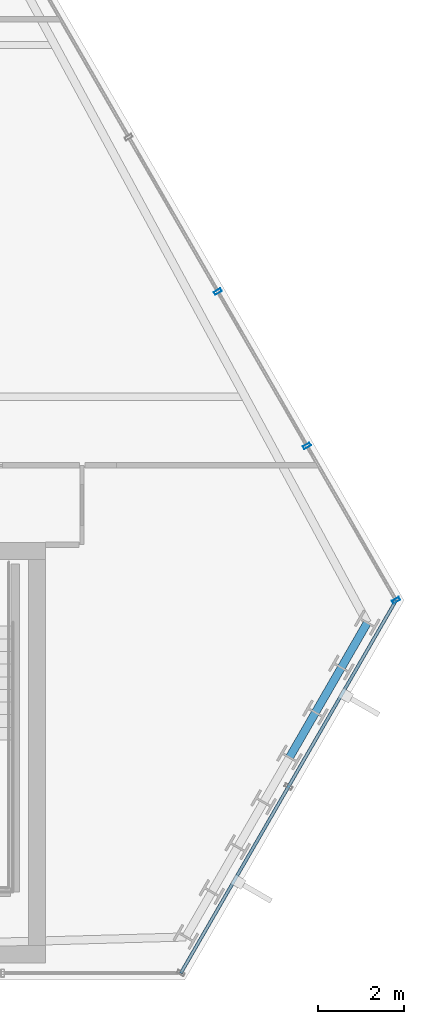
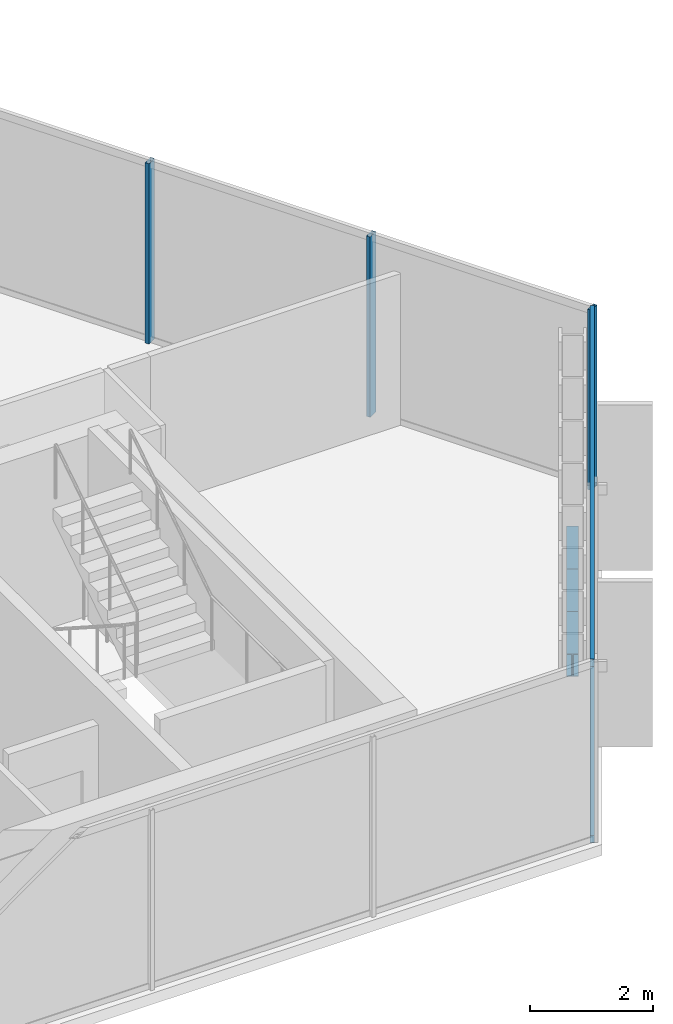
# One storey, part 16 of 35: 5 members, 3 beams, 2 elements without a shape of their own.
"""IFC4 building model written with IfcOpenShell, lengths in metres."""

from ifc_helpers import new_model, si_unit, direction, frame, origin, origin_2d, place, context, subcontext, project, spatial, hollow_rectangle, i_section, extrude, material, layer, layer_set, material_profile, profile_set, type_object, element, aggregate, save


model = new_model("IFC4")

# Units and contexts
model_context = context("Model", 3, precision=1e-05, world=origin(), true_north=direction((0.0, 1.0)))
body_context = subcontext(model_context, "Body", "Model", "MODEL_VIEW")
ifc_project = project(units=[si_unit("LENGTHUNIT", "METRE"), si_unit("AREAUNIT", "SQUARE_METRE"), si_unit("VOLUMEUNIT", "CUBIC_METRE"), si_unit("PLANEANGLEUNIT", "RADIAN"), si_unit("MASSUNIT", "GRAM", prefix="KILO")], contexts=[model_context])

# Site, building, storey
site_placement = place(None, origin())
site = spatial("IfcSite", under=ifc_project, at=site_placement, CompositionType="ELEMENT")
building_placement = place(site_placement, origin())
building = spatial("IfcBuilding", under=site, at=building_placement, Name="Ndaravel Arena Tower", CompositionType="ELEMENT")
storey_placement = place(building_placement, frame((0.0, 0.0, 176.39990234375)))
storey = spatial("IfcBuildingStorey", under=building, at=storey_placement, Name="L42", CompositionType="ELEMENT", Elevation=176.39990234375)

# Beams
ifc_material_1 = material(Name="Steel S355", Category="steel")
ifc_material_profile_1 = material_profile(ifc_material_1, i_section(OverallWidth=0.18994140625, OverallDepth=0.449951171875, WebThickness=0.009521484375, FlangeThickness=0.0146484375, FilletRadius=0.02099609375, at=origin_2d()), Name="IPE 450")
ifc_profile_set_1 = profile_set([ifc_material_profile_1], Name="Steel S355")
beam_type = type_object("IfcBeamType", Name="BM-SPAN-IPE450", PredefinedType="SPANDREL", material=ifc_profile_set_1)
for number, where, z_axis, x_axis, name in (
    (1, (63.23779296875, 10.189697265625, -0.44482421875), (0.499984757355, 0.866034203951, 0.0), (-0.866034203951, 0.499984757355, 0.0), "L42 Perimeter Spandrel Beam SP-06"),
    (2, (63.842041015625, 11.236328125, -0.44482421875), (0.499984757355, 0.866034203951, 0.0), (-0.866034203951, 0.499984757355, 0.0), "L42 Perimeter Spandrel Beam SP-07"),
    (3, (64.4462890625, 12.282958984375, -0.44482421875), (0.499984757355, 0.866034203951, 0.0), (-0.866034203951, 0.499984757355, 0.0), "L42 Perimeter Spandrel Beam SP-08"),
):
    element("IfcBeam", number, at=place(storey_placement, frame(where, z_axis=z_axis, x_axis=x_axis)), inside=storey, type_object=beam_type, Name=name, PredefinedType="SPANDREL", context=body_context, shape_type="SweptSolid", body=[
        extrude(i_section(OverallWidth=0.18994140625, OverallDepth=0.449951171875, WebThickness=0.009521484375, FlangeThickness=0.0146484375, FilletRadius=0.02099609375, at=origin_2d()), origin(), (0.0, 0.0, 1.0), 1.20849609375),
    ])

# Curtain wall, members
ifc_material_2 = material(Name="Aluminium", Category="aluminium")
ifc_layer_1 = layer(ifc_material_2, 0.179931640625)
ifc_layer_set_1 = layer_set([ifc_layer_1], Name="Aluminium")
curtain_wall_type_1 = type_object("IfcCurtainWallType", Name="CW-SYS-03", PredefinedType="NOTDEFINED", material=ifc_layer_set_1)
curtain_wall_1_placement = place(storey_placement, origin())
curtain_wall_1 = element("IfcCurtainWall", 4, at=curtain_wall_1_placement, inside=storey, type_object=curtain_wall_type_1, Name="L42 Faceted Crystal Curtain Wall CW-L42-E03", PredefinedType="NOTDEFINED")
ifc_material_3 = material(Name="Aluminium", Category="aluminium")
ifc_material_profile_2 = material_profile(ifc_material_3, hollow_rectangle(XDim=0.074951171875, YDim=0.179931640625, WallThickness=0.00390625, at=origin_2d()), Name="CW MULLION 75x180x4")
ifc_profile_set_2 = profile_set([ifc_material_profile_2], Name="Aluminium")
member_type_1 = type_object("IfcMemberType", Name="MEM-CW-MUL180", PredefinedType="MULLION", material=ifc_profile_set_2)
member_1_placement = place(storey_placement, frame((65.72216796875, 13.852783203125, 0.0), z_axis=(0.0, 0.0, 1.0), x_axis=(-0.5, 0.866025403784, 0.0)))
member_1 = element("IfcMember", 5, at=member_1_placement, type_object=member_type_1, Name="CW-L42-E03 Mullion 00", PredefinedType="MULLION", context=body_context, shape_type="SweptSolid", body=[
    extrude(hollow_rectangle(XDim=0.074951171875, YDim=0.179931640625, WallThickness=0.00390625, at=origin_2d()), origin(), (0.0, 0.0, 1.0), 3.580078125),
])
member_2_placement = place(storey_placement, frame((63.64404296875, 17.452392578125, 0.0), z_axis=(0.0, 0.0, 1.0), x_axis=(-0.5, 0.866025403784, 0.0)))
member_2 = element("IfcMember", 6, at=member_2_placement, type_object=member_type_1, Name="CW-L42-E03 Mullion 01", PredefinedType="MULLION", context=body_context, shape_type="SweptSolid", body=[
    extrude(hollow_rectangle(XDim=0.074951171875, YDim=0.179931640625, WallThickness=0.00390625, at=origin_2d()), origin(), (0.0, 0.0, 1.0), 3.580078125),
])
member_3_placement = place(storey_placement, frame((61.56591796875, 21.052001953125, 0.0), z_axis=(0.0, 0.0, 1.0), x_axis=(-0.5, 0.866025403784, 0.0)))
member_3 = element("IfcMember", 7, at=member_3_placement, type_object=member_type_1, Name="CW-L42-E03 Mullion 02", PredefinedType="MULLION", context=body_context, shape_type="SweptSolid", body=[
    extrude(hollow_rectangle(XDim=0.074951171875, YDim=0.179931640625, WallThickness=0.00390625, at=origin_2d()), origin(), (0.0, 0.0, 1.0), 3.580078125),
])
aggregate(curtain_wall_1, [member_1, member_2, member_3])

ifc_material_4 = material(Name="Aluminium", Category="aluminium")
ifc_layer_2 = layer(ifc_material_4, 0.179931640625)
ifc_layer_set_2 = layer_set([ifc_layer_2], Name="Aluminium")
curtain_wall_type_2 = type_object("IfcCurtainWallType", Name="CW-SYS-01", PredefinedType="NOTDEFINED", material=ifc_layer_set_2)
curtain_wall_2_placement = place(storey_placement, origin())
curtain_wall_2 = element("IfcCurtainWall", 8, at=curtain_wall_2_placement, inside=storey, type_object=curtain_wall_type_2, Name="L42 Faceted Crystal Curtain Wall CW-L42-E02", PredefinedType="NOTDEFINED")
ifc_material_5 = material(Name="Aluminium", Category="aluminium")
ifc_material_profile_3 = material_profile(ifc_material_5, hollow_rectangle(XDim=0.074951171875, YDim=0.14990234375, WallThickness=0.00390625, at=origin_2d()), Name="CW TRANSOM 75x150x4")
ifc_profile_set_3 = profile_set([ifc_material_profile_3], Name="Aluminium")
member_type_2 = type_object("IfcMemberType", Name="MEM-CW-TRN150", PredefinedType="USERDEFINED", material=ifc_profile_set_3)
member_4_placement = place(storey_placement, frame((60.703369140625, 5.159912109375, 0.0400390625), z_axis=(0.499997561338, 0.866026811742, 0.0), x_axis=(-0.866026811742, 0.499997561338, 0.0)))
member_4 = element("IfcMember", 9, at=member_4_placement, type_object=member_type_2, Name="CW-L42-E02 Transom 01", ObjectType="TRANSOM", PredefinedType="USERDEFINED", context=body_context, shape_type="SweptSolid", body=[
    extrude(hollow_rectangle(XDim=0.074951171875, YDim=0.14990234375, WallThickness=0.00390625, at=origin_2d()), origin(), (0.0, 0.0, 1.0), 10.03759765625),
])
member_5_placement = place(storey_placement, frame((60.703369140625, 5.159912109375, 3.5400390625), z_axis=(0.499997561338, 0.866026811742, 0.0), x_axis=(-0.866026811742, 0.499997561338, 0.0)))
member_5 = element("IfcMember", 10, at=member_5_placement, type_object=member_type_2, Name="CW-L42-E02 Transom 02", ObjectType="TRANSOM", PredefinedType="USERDEFINED", context=body_context, shape_type="SweptSolid", body=[
    extrude(hollow_rectangle(XDim=0.074951171875, YDim=0.14990234375, WallThickness=0.00390625, at=origin_2d()), origin(), (0.0, 0.0, 1.0), 10.03759765625),
])
aggregate(curtain_wall_2, [member_4, member_5])

save(model, "model.ifc")
